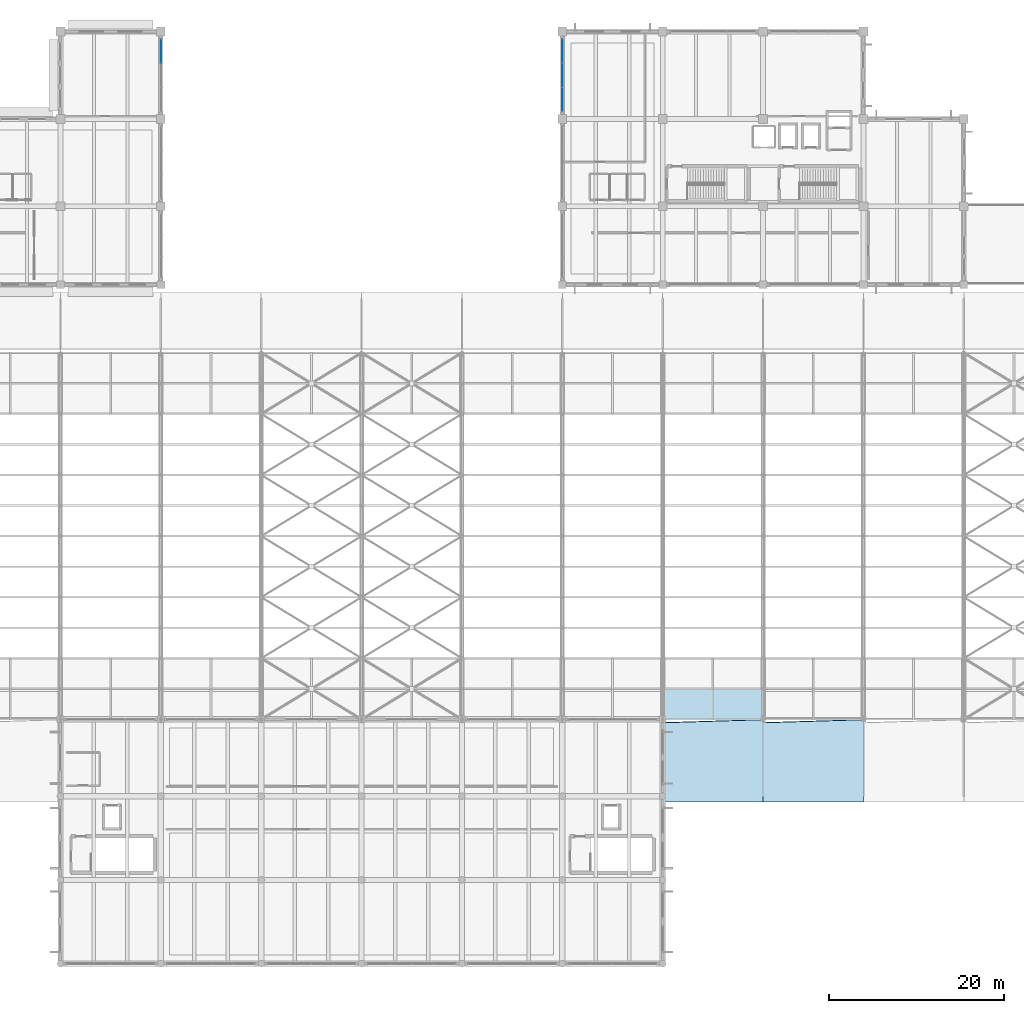
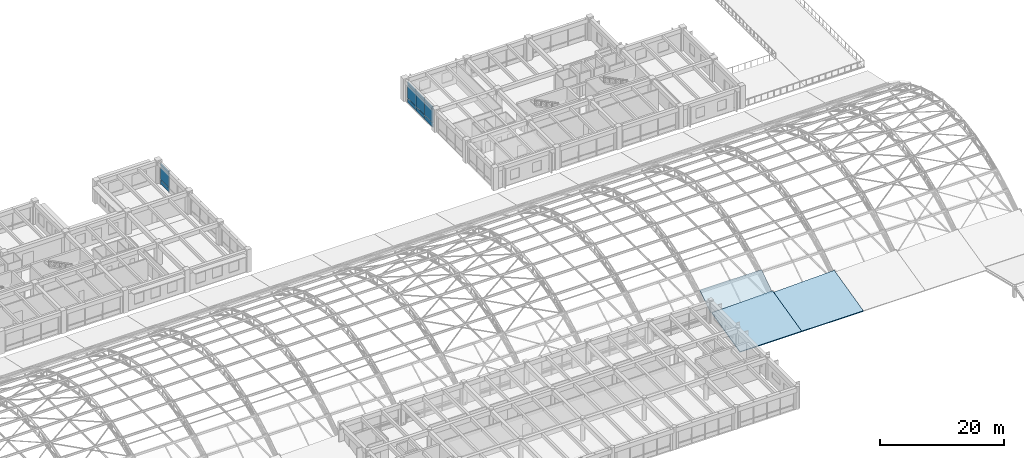
# One storey, part 130 of 154: 12 plates, 3 slabs, 2 elements without a shape of their own.
"""IFC4 building model written with IfcOpenShell, lengths in metres."""

from ifc_helpers import new_model, si_unit, direction, frame, origin, origin_2d, place, context, subcontext, project, spatial, polyline, rectangle, outline, extrude, material, layer, layer_set, type_object, element, aggregate, save


model = new_model("IFC4")

# Units and contexts
model_context = context("Model", 3, precision=1e-05, world=origin(), true_north=direction((0.0, 1.0)))
body_context = subcontext(model_context, "Body", "Model", "MODEL_VIEW")
ifc_project = project(units=[si_unit("LENGTHUNIT", "METRE"), si_unit("AREAUNIT", "SQUARE_METRE"), si_unit("VOLUMEUNIT", "CUBIC_METRE"), si_unit("PLANEANGLEUNIT", "RADIAN"), si_unit("MASSUNIT", "GRAM", prefix="KILO")], contexts=[model_context])

# Site, building, storey
site_placement = place(None, origin())
site = spatial("IfcSite", under=ifc_project, at=site_placement, CompositionType="ELEMENT")
building_placement = place(site_placement, origin())
building = spatial("IfcBuilding", under=site, at=building_placement, Name="Ologun Quay Terminus", CompositionType="ELEMENT")
storey_placement = place(building_placement, frame((0.0, 0.0, 13.800048828125)))
storey = spatial("IfcBuildingStorey", under=building, at=storey_placement, Name="L03", CompositionType="ELEMENT", Elevation=13.800048828125)

# Curtain wall, plates
ifc_material_1 = material(Name="Aluminium 6063-T6", Category="aluminium")
curtain_wall_type_1 = type_object("IfcCurtainWallType", Name="Rain-Garden West Courtyard Curtain Wall L03 8200x4150", PredefinedType="USERDEFINED", material=ifc_material_1)
curtain_wall_1_placement = place(storey_placement, origin())
curtain_wall_1 = element("IfcCurtainWall", 1, at=curtain_wall_1_placement, inside=storey, type_object=curtain_wall_type_1, Name="CW-16 Curtain Wall CW-L03-113", ObjectType="UNITISED CURTAIN WALL", PredefinedType="USERDEFINED")
ifc_material_2 = material(Name="Aluminium 6063-T6", Category="aluminium")
ifc_layer_1 = layer(ifc_material_2, 0.06005859375)
ifc_layer_set_1 = layer_set([ifc_layer_1], Name="Aluminium 6063-T6")
plate_type_1 = type_object("IfcPlateType", Name="Anodised Bronze Spandrel Panel 60", PredefinedType="CURTAIN_PANEL", material=ifc_layer_set_1)
plate_1_placement = place(storey_placement, frame((69.0, 112.55322265625, 0.02978515625), z_axis=(0.0, 0.0, 1.0), x_axis=(0.0, 1.0, 0.0)))
plate_1 = element("IfcPlate", 2, at=plate_1_placement, type_object=plate_type_1, Name="CW-L03-113 Panel B3-1", PredefinedType="CURTAIN_PANEL", context=body_context, shape_type="SweptSolid", body=[
    extrude(rectangle(XDim=2.75341796875, YDim=0.06005859375, at=origin_2d()), origin(), (0.0, 0.0, 1.0), 0.840087890625),
])
ifc_material_3 = material(Name="Glass", Category="glass")
ifc_layer_2 = layer(ifc_material_3, 0.035888671875)
ifc_layer_set_2 = layer_set([ifc_layer_2], Name="Glass")
plate_type_2 = type_object("IfcPlateType", Name="High-Selectivity Harbour Glazed Panel 36", PredefinedType="CURTAIN_PANEL", material=ifc_layer_set_2)
plate_2_placement = place(storey_placement, frame((69.0, 112.55322265625, 0.9296875), z_axis=(0.0, 0.0, 1.0), x_axis=(0.0, 1.0, 0.0)))
plate_2 = element("IfcPlate", 3, at=plate_2_placement, type_object=plate_type_2, Name="CW-L03-113 Panel B3-2", PredefinedType="CURTAIN_PANEL", context=body_context, shape_type="SweptSolid", body=[
    extrude(rectangle(XDim=2.75341796875, YDim=0.035888671875, at=origin_2d()), origin(), (0.0, 0.0, 1.0), 2.570068359375),
])
plate_3_placement = place(storey_placement, frame((69.0, 112.55322265625, 3.56005859375), z_axis=(0.0, 0.0, 1.0), x_axis=(0.0, 1.0, 0.0)))
plate_3 = element("IfcPlate", 4, at=plate_3_placement, type_object=plate_type_2, Name="CW-L03-113 Panel B3-3", PredefinedType="CURTAIN_PANEL", context=body_context, shape_type="SweptSolid", body=[
    extrude(rectangle(XDim=2.75341796875, YDim=0.035888671875, at=origin_2d()), origin(), (0.0, 0.0, 1.0), 0.639892578125),
])
aggregate(curtain_wall_1, [plate_1, plate_2, plate_3])

ifc_material_4 = material(Name="Aluminium 6063-T6", Category="aluminium")
curtain_wall_type_2 = type_object("IfcCurtainWallType", Name="Rain-Garden East Courtyard Curtain Wall L03 9200x4150", PredefinedType="USERDEFINED", material=ifc_material_4)
curtain_wall_2_placement = place(storey_placement, origin())
curtain_wall_2 = element("IfcCurtainWall", 5, at=curtain_wall_2_placement, inside=storey, type_object=curtain_wall_type_2, Name="CW-20 Curtain Wall CW-L03-144", ObjectType="UNITISED CURTAIN WALL", PredefinedType="USERDEFINED")
plate_4_placement = place(storey_placement, frame((115.0, 107.046630859375, 0.9296875), z_axis=(0.0, 0.0, 1.0), x_axis=(0.0, 1.0, 0.0)))
plate_4 = element("IfcPlate", 6, at=plate_4_placement, type_object=plate_type_2, Name="CW-L03-144 Panel B1-2", PredefinedType="CURTAIN_PANEL", context=body_context, shape_type="SweptSolid", body=[
    extrude(rectangle(XDim=2.75341796875, YDim=0.035888671875, at=origin_2d()), origin(), (0.0, 0.0, 1.0), 2.570068359375),
])
plate_5_placement = place(storey_placement, frame((115.0, 107.046630859375, 3.56005859375), z_axis=(0.0, 0.0, 1.0), x_axis=(0.0, 1.0, 0.0)))
plate_5 = element("IfcPlate", 7, at=plate_5_placement, type_object=plate_type_2, Name="CW-L03-144 Panel B1-3", PredefinedType="CURTAIN_PANEL", context=body_context, shape_type="SweptSolid", body=[
    extrude(rectangle(XDim=2.75341796875, YDim=0.035888671875, at=origin_2d()), origin(), (0.0, 0.0, 1.0), 0.639892578125),
])
plate_6_placement = place(storey_placement, frame((115.0, 109.800048828125, 0.9296875), z_axis=(0.0, 0.0, 1.0), x_axis=(0.0, 1.0, 0.0)))
plate_6 = element("IfcPlate", 8, at=plate_6_placement, type_object=plate_type_2, Name="CW-L03-144 Panel B2-2", PredefinedType="CURTAIN_PANEL", context=body_context, shape_type="SweptSolid", body=[
    extrude(rectangle(XDim=2.75341796875, YDim=0.035888671875, at=origin_2d()), origin(), (0.0, 0.0, 1.0), 2.570068359375),
])
plate_7_placement = place(storey_placement, frame((115.0, 109.800048828125, 3.56005859375), z_axis=(0.0, 0.0, 1.0), x_axis=(0.0, 1.0, 0.0)))
plate_7 = element("IfcPlate", 9, at=plate_7_placement, type_object=plate_type_2, Name="CW-L03-144 Panel B2-3", PredefinedType="CURTAIN_PANEL", context=body_context, shape_type="SweptSolid", body=[
    extrude(rectangle(XDim=2.75341796875, YDim=0.035888671875, at=origin_2d()), origin(), (0.0, 0.0, 1.0), 0.639892578125),
])
plate_8_placement = place(storey_placement, frame((115.0, 112.55322265625, 0.9296875), z_axis=(0.0, 0.0, 1.0), x_axis=(0.0, 1.0, 0.0)))
plate_8 = element("IfcPlate", 10, at=plate_8_placement, type_object=plate_type_2, Name="CW-L03-144 Panel B3-2", PredefinedType="CURTAIN_PANEL", context=body_context, shape_type="SweptSolid", body=[
    extrude(rectangle(XDim=2.75341796875, YDim=0.035888671875, at=origin_2d()), origin(), (0.0, 0.0, 1.0), 2.570068359375),
])
plate_9_placement = place(storey_placement, frame((115.0, 112.55322265625, 3.56005859375), z_axis=(0.0, 0.0, 1.0), x_axis=(0.0, 1.0, 0.0)))
plate_9 = element("IfcPlate", 11, at=plate_9_placement, type_object=plate_type_2, Name="CW-L03-144 Panel B3-3", PredefinedType="CURTAIN_PANEL", context=body_context, shape_type="SweptSolid", body=[
    extrude(rectangle(XDim=2.75341796875, YDim=0.035888671875, at=origin_2d()), origin(), (0.0, 0.0, 1.0), 0.639892578125),
])
ifc_material_5 = material(Name="Aluminium 6063-T6", Category="aluminium")
ifc_layer_3 = layer(ifc_material_5, 0.050048828125)
ifc_layer_set_3 = layer_set([ifc_layer_3], Name="Aluminium 6063-T6")
plate_type_3 = type_object("IfcPlateType", Name="Insulated Aluminium Shadow-Box Spandrel 50", PredefinedType="CURTAIN_PANEL", material=ifc_layer_set_3)
plate_10_placement = place(storey_placement, frame((115.0, 107.046630859375, 0.02978515625), z_axis=(0.0, 0.0, 1.0), x_axis=(0.0, 1.0, 0.0)))
plate_10 = element("IfcPlate", 12, at=plate_10_placement, type_object=plate_type_3, Name="CW-L03-144 Panel B1-1", PredefinedType="CURTAIN_PANEL", context=body_context, shape_type="SweptSolid", body=[
    extrude(rectangle(XDim=2.75341796875, YDim=0.050048828125, at=origin_2d()), origin(), (0.0, 0.0, 1.0), 0.840087890625),
])
plate_11_placement = place(storey_placement, frame((115.0, 109.800048828125, 0.02978515625), z_axis=(0.0, 0.0, 1.0), x_axis=(0.0, 1.0, 0.0)))
plate_11 = element("IfcPlate", 13, at=plate_11_placement, type_object=plate_type_3, Name="CW-L03-144 Panel B2-1", PredefinedType="CURTAIN_PANEL", context=body_context, shape_type="SweptSolid", body=[
    extrude(rectangle(XDim=2.75341796875, YDim=0.050048828125, at=origin_2d()), origin(), (0.0, 0.0, 1.0), 0.840087890625),
])
plate_12_placement = place(storey_placement, frame((115.0, 112.55322265625, 0.02978515625), z_axis=(0.0, 0.0, 1.0), x_axis=(0.0, 1.0, 0.0)))
plate_12 = element("IfcPlate", 14, at=plate_12_placement, type_object=plate_type_3, Name="CW-L03-144 Panel B3-1", PredefinedType="CURTAIN_PANEL", context=body_context, shape_type="SweptSolid", body=[
    extrude(rectangle(XDim=2.75341796875, YDim=0.050048828125, at=origin_2d()), origin(), (0.0, 0.0, 1.0), 0.840087890625),
])
aggregate(curtain_wall_2, [plate_10, plate_4, plate_5, plate_11, plate_6, plate_7, plate_12, plate_8, plate_9])

# Slabs
ifc_material_6 = material(Name="Concrete C40/50", Category="concrete")
ifc_layer_4 = layer(ifc_material_6, 0.199951171875)
ifc_layer_set_4 = layer_set([ifc_layer_4], Name="Concrete C40/50")
slab_type_1 = type_object("IfcSlabType", Name="Pitched Overhanging Concrete Roof Slab 200", PredefinedType="ROOF", material=ifc_layer_set_4)
for number, where, z_axis, x_axis, name in (
    (15, (126.5, 26.5400390625, -0.140380859375), (9.69599e-06, -0.235309114893, 0.971920583358), (0.999999999953, 2.281555e-06, -9.423732e-06), "SL-RF SEL Forecourt Link Roof 1"),
    (16, (138.0, 26.5400390625, -0.140380859375), (9.69599e-06, -0.235309114893, 0.971920583358), (0.999999999953, 2.281555e-06, -9.423732e-06), "SL-RF SEL Forecourt Link Roof 2"),
):
    element("IfcSlab", number, at=place(storey_placement, frame(where, z_axis=z_axis, x_axis=x_axis)), inside=storey, type_object=slab_type_1, Name=name, PredefinedType="ROOF", context=body_context, shape_type="SweptSolid", body=[
        extrude(outline(polyline([(0.0, 0.0), (11.49999999945943, -4.870439446712227e-21), (11.50000000054057, 9.692042537195526), (-1.0811404935267774e-09, 9.332135518207789), (0.0, 0.0)])), origin(), (0.0, 0.0, -1.0), 0.199951171875),
    ])
ifc_material_7 = material(Name="Steel S355", Category="steel")
ifc_layer_5 = layer(ifc_material_7, 0.159912109375)
ifc_layer_set_5 = layer_set([ifc_layer_5], Name="Steel S355")
slab_type_2 = type_object("IfcSlabType", Name="Train Shed Barrel Roof Facet Slab 160", PredefinedType="ROOF", material=ifc_layer_set_5)
slab_placement = place(storey_placement, frame((126.5, 36.0, 1.809814453125), z_axis=(0.0, -0.55717065423, 0.830398014247), x_axis=(1.0, 0.0, 0.0)))
element("IfcSlab", 17, at=slab_placement, inside=storey, type_object=slab_type_2, Name="SL-SHD Train Shed Eave Roof Facet B12-P1", PredefinedType="ROOF", context=body_context, shape_type="SweptSolid", body=[
    extrude(outline(polyline([(0.0, 0.0), (11.5, 0.0), (11.5, 4.214846302558472), (0.0, 4.214846302558472), (0.0, 0.0)])), origin(), (0.0, 0.0, -1.0), 0.159912109375),
])

save(model, "model.ifc")
